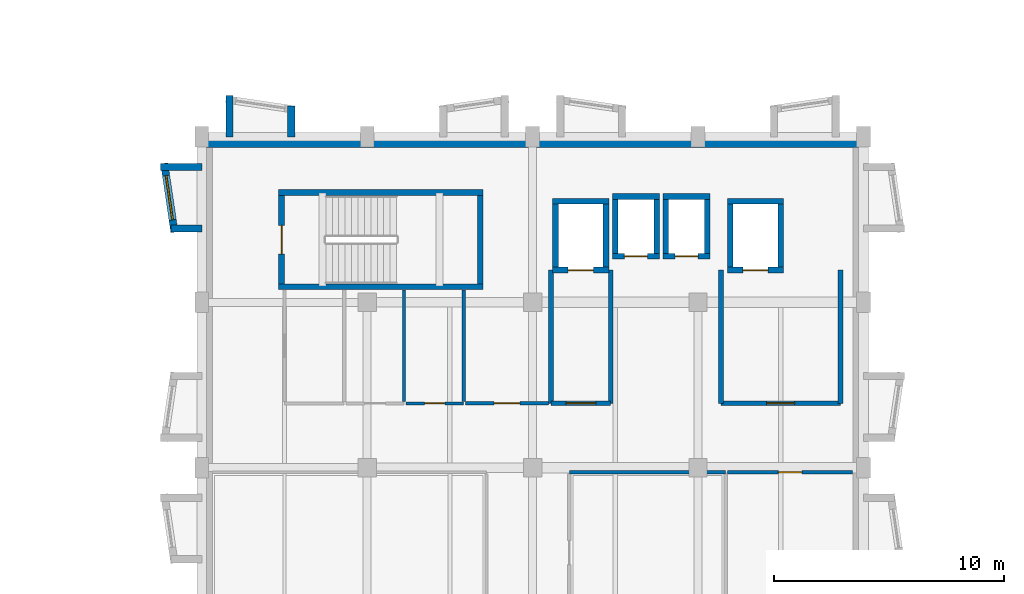
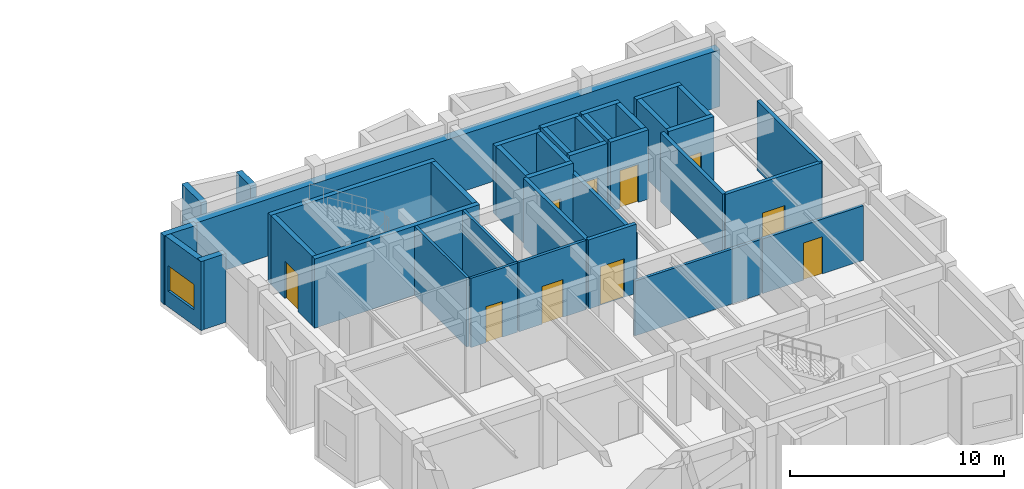
# One storey, part 56 of 67: 38 walls, 10 doors, 1 window, 11 openings.
"""IFC4 building model written with IfcOpenShell, lengths in metres."""

from ifc_helpers import new_model, si_unit, direction, frame, frame_2d, origin, place, context, subcontext, project, spatial, rectangle, extrude, material, layer, layer_set, type_object, element, fill, save


model = new_model("IFC4")

# Units and contexts
model_context = context("Model", 3, precision=1e-05, world=origin(), true_north=direction((0.0, 1.0)))
body_context = subcontext(model_context, "Body", "Model", "MODEL_VIEW")
ifc_project = project(units=[si_unit("LENGTHUNIT", "METRE"), si_unit("AREAUNIT", "SQUARE_METRE"), si_unit("VOLUMEUNIT", "CUBIC_METRE"), si_unit("PLANEANGLEUNIT", "RADIAN"), si_unit("MASSUNIT", "GRAM", prefix="KILO")], contexts=[model_context])

# Site, building, storey
site_placement = place(None, origin())
site = spatial("IfcSite", under=ifc_project, at=site_placement, CompositionType="ELEMENT")
building_placement = place(site_placement, origin())
building = spatial("IfcBuilding", under=site, at=building_placement, Name="Bramveld Media Centre", CompositionType="ELEMENT")
storey_placement = place(building_placement, frame((0.0, 0.0, 5.39990234375)))
storey = spatial("IfcBuildingStorey", under=building, at=storey_placement, Name="L01", CompositionType="ELEMENT", Elevation=5.39990234375)

# Walls
ifc_material_1 = material(Name="Concrete C40/50 stair & lift core wall", Category="concrete")
ifc_layer_1 = layer(ifc_material_1, 0.25)
ifc_layer_set_1 = layer_set([ifc_layer_1], Name="Concrete C40/50 stair & lift core wall")
wall_type_1 = type_object("IfcWallType", Name="CWALL-SHEAR-250", PredefinedType="SHEAR", material=ifc_layer_set_1)
for number, where, z_axis, x_axis, name in (
    (1, (134.550048828125, 105.47509765625, 0.0), (0.0, 0.0, 1.0), (1.0, 0.0, 0.0), "ST-01 L01 stair core shear wall S"),
    (2, (143.449951171875, 109.574951171875, 0.0), (0.0, 0.0, 1.0), (-1.0, 0.0, 0.0), "ST-01 L01 stair core shear wall N"),
):
    element("IfcWall", number, at=place(storey_placement, frame(where, z_axis=z_axis, x_axis=x_axis)), inside=storey, type_object=wall_type_1, Name=name, PredefinedType="SHEAR", context=body_context, shape_type="SweptSolid", body=[
        extrude(rectangle(XDim=8.89990234375, YDim=0.25, at=frame_2d((4.449951171875, 0.0))), origin(), (0.0, 0.0, 1.0), 3.9501953125),
    ])

# Wall, opening, door
wall_1_placement = place(storey_placement, frame((134.675048828125, 109.449951171875, 0.0), z_axis=(0.0, 0.0, 1.0), x_axis=(0.0, -1.0, 0.0)))
wall_1 = element("IfcWall", 3, at=wall_1_placement, inside=storey, type_object=wall_type_1, Name="ST-01 L01 stair core shear wall W", PredefinedType="SHEAR", context=body_context, shape_type="SweptSolid", body=[
    extrude(rectangle(XDim=3.849853515625, YDim=0.25, at=frame_2d((1.9248046875, 0.0))), origin(), (0.0, 0.0, 1.0), 3.9501953125),
])
opening_1_placement = place(wall_1_placement, frame((1.300048828125, 0.0, 0.0)))
opening_1 = element("IfcOpeningElement", 4, at=opening_1_placement, cuts=wall_1, Name="Opening SD-01-L01", PredefinedType="OPENING", context=body_context, shape_type="SweptSolid", body=[
    extrude(rectangle(XDim=1.25, YDim=2.14990234375, at=frame_2d((0.625, 1.074951171875))), frame((0.0, 0.136962890625, 0.0), z_axis=(0.0, -1.0, 0.0), x_axis=(1.0, 0.0, 0.0)), (0.0, 0.0, 1.0), 0.27392578125),
])
ifc_material_2 = material(Name="Painted galvanized steel acoustic fire door with intumescent smoke seals", Category="steel")
door_type_1 = type_object("IfcDoorType", Name="DR-ST-1250", OperationType="NOTDEFINED", PredefinedType="DOOR", material=ifc_material_2)
door_1_placement = place(opening_1_placement, origin())
door_1 = element("IfcDoor", 5, at=door_1_placement, inside=storey, type_object=door_type_1, Name="ST-01 L01 pressurized stair fire door", OperationType="SINGLE_SWING_RIGHT", OverallHeight=2.14990234375, OverallWidth=1.25, PredefinedType="DOOR", context=body_context, shape_type="SweptSolid", body=[
    extrude(rectangle(XDim=1.25, YDim=2.14990234375, at=frame_2d((0.625, 1.074951171875))), frame((0.0, 0.02490234375, 0.0), z_axis=(0.0, -1.0, 0.0), x_axis=(1.0, 0.0, 0.0)), (0.0, 0.0, 1.0), 0.050048828125),
])
fill(opening_1, door_1)

# Wall
wall_2_placement = place(storey_placement, frame((143.324951171875, 105.60009765625, 0.0), z_axis=(0.0, 0.0, 1.0), x_axis=(0.0, 1.0, 0.0)))
element("IfcWall", 6, at=wall_2_placement, inside=storey, type_object=wall_type_1, Name="ST-01 L01 stair core shear wall E", PredefinedType="SHEAR", context=body_context, shape_type="SweptSolid", body=[
    extrude(rectangle(XDim=3.849853515625, YDim=0.25, at=frame_2d((1.9248046875, 0.0))), origin(), (0.0, 0.0, 1.0), 3.9501953125),
])

# Wall, opening, door
wall_3_placement = place(storey_placement, frame((146.47509765625, 106.199951171875, 0.0), z_axis=(0.0, 0.0, 1.0), x_axis=(1.0, 0.0, 0.0)))
wall_3 = element("IfcWall", 7, at=wall_3_placement, inside=storey, type_object=wall_type_1, Name="FL-01 L01 lift shaft wall S", PredefinedType="SHEAR", context=body_context, shape_type="SweptSolid", body=[
    extrude(rectangle(XDim=2.449951171875, YDim=0.25, at=frame_2d((1.22509765625, 0.0))), origin(), (0.0, 0.0, 1.0), 3.9501953125),
])
opening_2_placement = place(wall_3_placement, frame((0.675048828125, 0.0, 0.0)))
opening_2 = element("IfcOpeningElement", 8, at=opening_2_placement, cuts=wall_3, Name="Opening LD-01-01-L01", PredefinedType="OPENING", context=body_context, shape_type="SweptSolid", body=[
    extrude(rectangle(XDim=1.10009765625, YDim=2.14990234375, at=frame_2d((0.550048828125, 1.074951171875))), frame((0.0, 0.136962890625, 0.0), z_axis=(0.0, -1.0, 0.0), x_axis=(1.0, 0.0, 0.0)), (0.0, 0.0, 1.0), 0.27392578125),
])
ifc_material_3 = material(Name="Brushed stainless steel automatic fire-rated sliding lift landing door", Category="steel")
door_type_2 = type_object("IfcDoorType", Name="LD-TYPE-01", OperationType="SLIDING_TO_LEFT", PredefinedType="DOOR", material=ifc_material_3)
door_2_placement = place(opening_2_placement, origin())
door_2 = element("IfcDoor", 9, at=door_2_placement, inside=storey, type_object=door_type_2, Name="FL-01 L01 sliding lift landing door", OperationType="SLIDING_TO_LEFT", OverallHeight=2.14990234375, OverallWidth=1.10009765625, PredefinedType="DOOR", context=body_context, shape_type="SweptSolid", body=[
    extrude(rectangle(XDim=1.10009765625, YDim=2.14990234375, at=frame_2d((0.550048828125, 1.074951171875))), frame((0.0, 0.02490234375, 0.0), z_axis=(0.0, -1.0, 0.0), x_axis=(1.0, 0.0, 0.0)), (0.0, 0.0, 1.0), 0.050048828125),
])
fill(opening_2, door_2)

# Walls
wall_4_placement = place(storey_placement, frame((148.925048828125, 109.199951171875, 0.0), z_axis=(0.0, 0.0, 1.0), x_axis=(-1.0, 0.0, 0.0)))
element("IfcWall", 10, at=wall_4_placement, inside=storey, type_object=wall_type_1, Name="FL-01 L01 lift shaft wall N", PredefinedType="SHEAR", context=body_context, shape_type="SweptSolid", body=[
    extrude(rectangle(XDim=2.449951171875, YDim=0.25, at=frame_2d((1.22509765625, 0.0))), origin(), (0.0, 0.0, 1.0), 3.9501953125),
])
for number, where, z_axis, x_axis, name in (
    (11, (146.60009765625, 109.199951171875, 0.0), (0.0, 0.0, 1.0), (0.0, -1.0, 0.0), "FL-01 L01 lift shaft wall W"),
    (12, (148.800048828125, 106.199951171875, 0.0), (0.0, 0.0, 1.0), (0.0, 1.0, 0.0), "FL-01 L01 lift shaft wall E"),
):
    element("IfcWall", number, at=place(storey_placement, frame(where, z_axis=z_axis, x_axis=x_axis)), inside=storey, type_object=wall_type_1, Name=name, PredefinedType="SHEAR", context=body_context, shape_type="SweptSolid", body=[
        extrude(rectangle(XDim=3.0, YDim=0.25, at=frame_2d((1.5, 0.0))), origin(), (0.0, 0.0, 1.0), 3.9501953125),
    ])

# Wall, opening, door
wall_5_placement = place(storey_placement, frame((154.074951171875, 106.199951171875, 0.0), z_axis=(0.0, 0.0, 1.0), x_axis=(1.0, 0.0, 0.0)))
wall_5 = element("IfcWall", 13, at=wall_5_placement, inside=storey, type_object=wall_type_1, Name="FL-02 L01 lift shaft wall S", PredefinedType="SHEAR", context=body_context, shape_type="SweptSolid", body=[
    extrude(rectangle(XDim=2.449951171875, YDim=0.25, at=frame_2d((1.22509765625, 0.0))), origin(), (0.0, 0.0, 1.0), 3.9501953125),
])
opening_3_placement = place(wall_5_placement, frame((0.675048828125, 0.0, 0.0)))
opening_3 = element("IfcOpeningElement", 14, at=opening_3_placement, cuts=wall_5, Name="Opening LD-01-02-L01", PredefinedType="OPENING", context=body_context, shape_type="SweptSolid", body=[
    extrude(rectangle(XDim=1.10009765625, YDim=2.14990234375, at=frame_2d((0.550048828125, 1.074951171875))), frame((0.0, 0.136962890625, 0.0), z_axis=(0.0, -1.0, 0.0), x_axis=(1.0, 0.0, 0.0)), (0.0, 0.0, 1.0), 0.27392578125),
])
door_3_placement = place(opening_3_placement, origin())
door_3 = element("IfcDoor", 15, at=door_3_placement, inside=storey, type_object=door_type_2, Name="FL-02 L01 sliding lift landing door", OperationType="SLIDING_TO_LEFT", OverallHeight=2.14990234375, OverallWidth=1.10009765625, PredefinedType="DOOR", context=body_context, shape_type="SweptSolid", body=[
    extrude(rectangle(XDim=1.10009765625, YDim=2.14990234375, at=frame_2d((0.550048828125, 1.074951171875))), frame((0.0, 0.02490234375, 0.0), z_axis=(0.0, -1.0, 0.0), x_axis=(1.0, 0.0, 0.0)), (0.0, 0.0, 1.0), 0.050048828125),
])
fill(opening_3, door_3)

# Walls
wall_6_placement = place(storey_placement, frame((156.52490234375, 109.199951171875, 0.0), z_axis=(0.0, 0.0, 1.0), x_axis=(-1.0, 0.0, 0.0)))
element("IfcWall", 16, at=wall_6_placement, inside=storey, type_object=wall_type_1, Name="FL-02 L01 lift shaft wall N", PredefinedType="SHEAR", context=body_context, shape_type="SweptSolid", body=[
    extrude(rectangle(XDim=2.449951171875, YDim=0.25, at=frame_2d((1.22509765625, 0.0))), origin(), (0.0, 0.0, 1.0), 3.9501953125),
])
for number, where, z_axis, x_axis, name in (
    (17, (154.199951171875, 109.199951171875, 0.0), (0.0, 0.0, 1.0), (0.0, -1.0, 0.0), "FL-02 L01 lift shaft wall W"),
    (18, (156.39990234375, 106.199951171875, 0.0), (0.0, 0.0, 1.0), (0.0, 1.0, 0.0), "FL-02 L01 lift shaft wall E"),
):
    element("IfcWall", number, at=place(storey_placement, frame(where, z_axis=z_axis, x_axis=x_axis)), inside=storey, type_object=wall_type_1, Name=name, PredefinedType="SHEAR", context=body_context, shape_type="SweptSolid", body=[
        extrude(rectangle(XDim=3.0, YDim=0.25, at=frame_2d((1.5, 0.0))), origin(), (0.0, 0.0, 1.0), 3.9501953125),
    ])

# Wall, opening, door
wall_7_placement = place(storey_placement, frame((149.074951171875, 106.800048828125, 0.0), z_axis=(0.0, 0.0, 1.0), x_axis=(1.0, 0.0, 0.0)))
wall_7 = element("IfcWall", 19, at=wall_7_placement, inside=storey, type_object=wall_type_1, Name="PL-01 L01 lift shaft wall S", PredefinedType="SHEAR", context=body_context, shape_type="SweptSolid", body=[
    extrude(rectangle(XDim=2.050048828125, YDim=0.25, at=frame_2d((1.02490234375, 0.0))), origin(), (0.0, 0.0, 1.0), 3.9501953125),
])
opening_4_placement = place(wall_7_placement, frame((0.52490234375, 0.0, 0.0)))
opening_4 = element("IfcOpeningElement", 20, at=opening_4_placement, cuts=wall_7, Name="Opening LD-02-01-L01", PredefinedType="OPENING", context=body_context, shape_type="SweptSolid", body=[
    extrude(rectangle(XDim=1.0, YDim=2.14990234375, at=frame_2d((0.5, 1.074951171875))), frame((0.0, 0.136962890625, 0.0), z_axis=(0.0, -1.0, 0.0), x_axis=(1.0, 0.0, 0.0)), (0.0, 0.0, 1.0), 0.27392578125),
])
ifc_material_4 = material(Name="Brushed stainless steel automatic fire-rated sliding lift landing door", Category="steel")
door_type_3 = type_object("IfcDoorType", Name="LD-TYPE-02", OperationType="SLIDING_TO_LEFT", PredefinedType="DOOR", material=ifc_material_4)
door_4_placement = place(opening_4_placement, origin())
door_4 = element("IfcDoor", 21, at=door_4_placement, inside=storey, type_object=door_type_3, Name="PL-01 L01 sliding lift landing door", OperationType="SLIDING_TO_LEFT", OverallHeight=2.14990234375, OverallWidth=1.0, PredefinedType="DOOR", context=body_context, shape_type="SweptSolid", body=[
    extrude(rectangle(XDim=1.0, YDim=2.14990234375, at=frame_2d((0.5, 1.074951171875))), frame((0.0, 0.02490234375, 0.0), z_axis=(0.0, -1.0, 0.0), x_axis=(1.0, 0.0, 0.0)), (0.0, 0.0, 1.0), 0.050048828125),
])
fill(opening_4, door_4)

# Walls
wall_8_placement = place(storey_placement, frame((151.125, 109.39990234375, 0.0), z_axis=(0.0, 0.0, 1.0), x_axis=(-1.0, 0.0, 0.0)))
element("IfcWall", 22, at=wall_8_placement, inside=storey, type_object=wall_type_1, Name="PL-01 L01 lift shaft wall N", PredefinedType="SHEAR", context=body_context, shape_type="SweptSolid", body=[
    extrude(rectangle(XDim=2.050048828125, YDim=0.25, at=frame_2d((1.02490234375, 0.0))), origin(), (0.0, 0.0, 1.0), 3.9501953125),
])
for number, where, z_axis, x_axis, name in (
    (23, (149.199951171875, 109.39990234375, 0.0), (0.0, 0.0, 1.0), (0.0, -1.0, 0.0), "PL-01 L01 lift shaft wall W"),
    (24, (151.0, 106.800048828125, 0.0), (0.0, 0.0, 1.0), (0.0, 1.0, 0.0), "PL-01 L01 lift shaft wall E"),
):
    element("IfcWall", number, at=place(storey_placement, frame(where, z_axis=z_axis, x_axis=x_axis)), inside=storey, type_object=wall_type_1, Name=name, PredefinedType="SHEAR", context=body_context, shape_type="SweptSolid", body=[
        extrude(rectangle(XDim=2.599853515625, YDim=0.25, at=frame_2d((1.2998046875, 0.0))), origin(), (0.0, 0.0, 1.0), 3.9501953125),
    ])

# Wall, opening, door
wall_9_placement = place(storey_placement, frame((151.27490234375, 106.800048828125, 0.0), z_axis=(0.0, 0.0, 1.0), x_axis=(1.0, 0.0, 0.0)))
wall_9 = element("IfcWall", 25, at=wall_9_placement, inside=storey, type_object=wall_type_1, Name="PL-02 L01 lift shaft wall S", PredefinedType="SHEAR", context=body_context, shape_type="SweptSolid", body=[
    extrude(rectangle(XDim=2.050048828125, YDim=0.25, at=frame_2d((1.02490234375, 0.0))), origin(), (0.0, 0.0, 1.0), 3.9501953125),
])
opening_5_placement = place(wall_9_placement, frame((0.52490234375, 0.0, 0.0)))
opening_5 = element("IfcOpeningElement", 26, at=opening_5_placement, cuts=wall_9, Name="Opening LD-02-02-L01", PredefinedType="OPENING", context=body_context, shape_type="SweptSolid", body=[
    extrude(rectangle(XDim=1.0, YDim=2.14990234375, at=frame_2d((0.5, 1.074951171875))), frame((0.0, 0.136962890625, 0.0), z_axis=(0.0, -1.0, 0.0), x_axis=(1.0, 0.0, 0.0)), (0.0, 0.0, 1.0), 0.27392578125),
])
door_5_placement = place(opening_5_placement, origin())
door_5 = element("IfcDoor", 27, at=door_5_placement, inside=storey, type_object=door_type_3, Name="PL-02 L01 sliding lift landing door", OperationType="SLIDING_TO_LEFT", OverallHeight=2.14990234375, OverallWidth=1.0, PredefinedType="DOOR", context=body_context, shape_type="SweptSolid", body=[
    extrude(rectangle(XDim=1.0, YDim=2.14990234375, at=frame_2d((0.5, 1.074951171875))), frame((0.0, 0.02490234375, 0.0), z_axis=(0.0, -1.0, 0.0), x_axis=(1.0, 0.0, 0.0)), (0.0, 0.0, 1.0), 0.050048828125),
])
fill(opening_5, door_5)

# Walls
wall_10_placement = place(storey_placement, frame((153.324951171875, 109.39990234375, 0.0), z_axis=(0.0, 0.0, 1.0), x_axis=(-1.0, 0.0, 0.0)))
element("IfcWall", 28, at=wall_10_placement, inside=storey, type_object=wall_type_1, Name="PL-02 L01 lift shaft wall N", PredefinedType="SHEAR", context=body_context, shape_type="SweptSolid", body=[
    extrude(rectangle(XDim=2.050048828125, YDim=0.25, at=frame_2d((1.02490234375, 0.0))), origin(), (0.0, 0.0, 1.0), 3.9501953125),
])
for number, where, z_axis, x_axis, name in (
    (29, (151.39990234375, 109.39990234375, 0.0), (0.0, 0.0, 1.0), (0.0, -1.0, 0.0), "PL-02 L01 lift shaft wall W"),
    (30, (153.199951171875, 106.800048828125, 0.0), (0.0, 0.0, 1.0), (0.0, 1.0, 0.0), "PL-02 L01 lift shaft wall E"),
):
    element("IfcWall", number, at=place(storey_placement, frame(where, z_axis=z_axis, x_axis=x_axis)), inside=storey, type_object=wall_type_1, Name=name, PredefinedType="SHEAR", context=body_context, shape_type="SweptSolid", body=[
        extrude(rectangle(XDim=2.599853515625, YDim=0.25, at=frame_2d((1.2998046875, 0.0))), origin(), (0.0, 0.0, 1.0), 3.9501953125),
    ])
ifc_material_5 = material(Name="Flemish red-brown clay facing brick cavity wall with concrete C35/45 inner leaf", Category="masonry")
ifc_layer_2 = layer(ifc_material_5, 0.4599609375)
ifc_layer_set_2 = layer_set([ifc_layer_2], Name="Flemish red-brown clay facing brick cavity wall with concrete C35/45 inner leaf")
wall_type_2 = type_object("IfcWallType", Name="EW-BRK-460", PredefinedType="SOLIDWALL", material=ifc_layer_set_2)
wall_11_placement = place(storey_placement, frame((131.199951171875, 111.77001953125, 0.0), z_axis=(0.0, 0.0, 1.0), x_axis=(1.0, 0.0, 0.0)))
element("IfcWall", 31, at=wall_11_placement, inside=storey, type_object=wall_type_2, Name="V7 L01 N facing brick exterior wall", PredefinedType="SOLIDWALL", context=body_context, shape_type="SweptSolid", body=[
    extrude(rectangle(XDim=28.800048828125, YDim=0.4599609375, at=frame_2d((14.39990234375, 0.0))), origin(), (0.0, 0.0, 1.0), 3.2451171875),
])
ifc_material_6 = material(Name="Precast concrete C40/50 & brick-slip faceted bay cheek wall", Category="masonry")
ifc_layer_3 = layer(ifc_material_6, 0.320068359375)
ifc_layer_set_3 = layer_set([ifc_layer_3], Name="Precast concrete C40/50 & brick-slip faceted bay cheek wall")
wall_type_3 = type_object("IfcWallType", Name="EW-FACET-320", PredefinedType="SOLIDWALL", material=ifc_layer_set_3)
wall_12_placement = place(storey_placement, frame((132.409912109375, 112.0, 0.0), z_axis=(0.0, 0.0, 1.0), x_axis=(0.0, 1.0, 0.0)))
element("IfcWall", 32, at=wall_12_placement, inside=storey, type_object=wall_type_3, Name="V7 L01 N faceted bay cheek wall", PredefinedType="SOLIDWALL", context=body_context, shape_type="SweptSolid", body=[
    extrude(rectangle(XDim=1.79296875, YDim=0.320068359375, at=frame_2d((0.896484375, 0.0))), origin(), (0.0, 0.0, 1.0), 3.93017578125),
])
wall_13_placement = place(storey_placement, frame((135.090087890625, 112.0, 0.0), z_axis=(0.0, 0.0, 1.0), x_axis=(0.0, 1.0, 0.0)))
element("IfcWall", 33, at=wall_13_placement, inside=storey, type_object=wall_type_3, Name="V7 L01 N faceted bay cheek wall", PredefinedType="SOLIDWALL", context=body_context, shape_type="SweptSolid", body=[
    extrude(rectangle(XDim=1.35009765625, YDim=0.320068359375, at=frame_2d((0.675048828125, 0.0))), origin(), (0.0, 0.0, 1.0), 3.93017578125),
])

# Wall, opening, window
wall_14_placement = place(storey_placement, frame((129.56689453125, 110.85009765625, 0.0), z_axis=(0.0, 0.0, 1.0), x_axis=(0.146119746268, -0.989266910268, 0.0)))
wall_14 = element("IfcWall", 34, at=wall_14_placement, inside=storey, type_object=wall_type_3, Name="V7 L01 W angled faceted bay front wall 4", PredefinedType="SOLIDWALL", context=body_context, shape_type="SweptSolid", body=[
    extrude(rectangle(XDim=3.032470703125, YDim=0.320068359375, at=frame_2d((1.51611328125, 0.0))), origin(), (0.0, 0.0, 1.0), 3.93017578125),
])
opening_6_placement = place(wall_14_placement, frame((0.541259765625, 0.0, 0.89990234375)))
opening_6 = element("IfcOpeningElement", 35, at=opening_6_placement, cuts=wall_14, Name="Opening W-27", PredefinedType="OPENING", context=body_context, shape_type="SweptSolid", body=[
    extrude(rectangle(XDim=1.949951171875, YDim=1.449951171875, at=frame_2d((0.97509765625, 0.72509765625))), frame((0.0, 0.171875, 0.0), z_axis=(0.0, -1.0, 0.0), x_axis=(1.0, 0.0, 0.0)), (0.0, 0.0, 1.0), 0.343994140625),
])
ifc_material_7 = material(Name="Thermally broken anodized bronze aluminium frame with triple acoustic glazing", Category="aluminium")
window_type = type_object("IfcWindowType", Name="WIN-FAC-27", PartitioningType="SINGLE_PANEL", PredefinedType="WINDOW", material=ifc_material_7)
window_placement = place(opening_6_placement, origin())
window = element("IfcWindow", 36, at=window_placement, inside=storey, type_object=window_type, Name="V7 L01 W faceted bay window 4", OverallHeight=1.449951171875, OverallWidth=1.949951171875, PartitioningType="SINGLE_PANEL", PredefinedType="WINDOW", context=body_context, shape_type="SweptSolid", body=[
    extrude(rectangle(XDim=1.949951171875, YDim=1.449951171875, at=frame_2d((0.97509765625, 0.72509765625))), frame((0.0, 0.030029296875, 0.0), z_axis=(0.0, -1.0, 0.0), x_axis=(1.0, 0.0, 0.0)), (0.0, 0.0, 1.0), 0.06005859375),
])
fill(opening_6, window)

# Walls
wall_15_placement = place(storey_placement, frame((131.199951171875, 108.010009765625, 0.0), z_axis=(0.0, 0.0, 1.0), x_axis=(-1.0, 0.0, 0.0)))
element("IfcWall", 37, at=wall_15_placement, inside=storey, type_object=wall_type_3, Name="V7 L01 W faceted bay cheek wall", PredefinedType="SOLIDWALL", context=body_context, shape_type="SweptSolid", body=[
    extrude(rectangle(XDim=1.349853515625, YDim=0.320068359375, at=frame_2d((0.6748046875, 0.0))), origin(), (0.0, 0.0, 1.0), 3.93017578125),
])
wall_16_placement = place(storey_placement, frame((131.199951171875, 110.68994140625, 0.0), z_axis=(0.0, 0.0, 1.0), x_axis=(-1.0, 0.0, 0.0)))
element("IfcWall", 38, at=wall_16_placement, inside=storey, type_object=wall_type_3, Name="V7 L01 W faceted bay cheek wall", PredefinedType="SOLIDWALL", context=body_context, shape_type="SweptSolid", body=[
    extrude(rectangle(XDim=1.79296875, YDim=0.320068359375, at=frame_2d((0.896484375, 0.0))), origin(), (0.0, 0.0, 1.0), 3.93017578125),
])

# Wall, opening, door
ifc_material_8 = material(Name="Acoustic calcium-silicate & mineral-wool compartment partition", Category="masonry")
ifc_layer_4 = layer(ifc_material_8, 0.199951171875)
ifc_layer_set_4 = layer_set([ifc_layer_4], Name="Acoustic calcium-silicate & mineral-wool compartment partition")
wall_type_4 = type_object("IfcWallType", Name="IW-ACOU-200", PredefinedType="PARTITIONING", material=ifc_layer_set_4)
wall_17_placement = place(storey_placement, frame((146.39990234375, 100.39990234375, 0.0), z_axis=(0.0, 0.0, 1.0), x_axis=(1.0, 0.0, 0.0)))
wall_17 = element("IfcWall", 39, at=wall_17_placement, inside=storey, type_object=wall_type_4, Name="FL-01 L01 EI 120 firefighting lift lobby wall S", PredefinedType="PARTITIONING", context=body_context, shape_type="SweptSolid", body=[
    extrude(rectangle(XDim=2.60009765625, YDim=0.199951171875, at=frame_2d((1.300048828125, 0.0))), origin(), (0.0, 0.0, 1.0), 3.9501953125),
])
opening_7_placement = place(wall_17_placement, frame((0.64990234375, 0.0, 0.0)))
opening_7 = element("IfcOpeningElement", 40, at=opening_7_placement, cuts=wall_17, Name="Opening FD-01-L01", PredefinedType="OPENING", context=body_context, shape_type="SweptSolid", body=[
    extrude(rectangle(XDim=1.300048828125, YDim=2.199951171875, at=frame_2d((0.64990234375, 1.10009765625))), frame((0.0, 0.11181640625, 0.0), z_axis=(0.0, -1.0, 0.0), x_axis=(1.0, 0.0, 0.0)), (0.0, 0.0, 1.0), 0.223876953125),
])
ifc_material_9 = material(Name="Painted galvanized steel acoustic fire door with intumescent smoke seals", Category="steel")
door_type_4 = type_object("IfcDoorType", Name="DR-FFL-1300", OperationType="NOTDEFINED", PredefinedType="DOOR", material=ifc_material_9)
door_6_placement = place(opening_7_placement, origin())
door_6 = element("IfcDoor", 41, at=door_6_placement, inside=storey, type_object=door_type_4, Name="FL-01 L01 firefighting lobby smoke-control door", OperationType="SINGLE_SWING_RIGHT", OverallHeight=2.199951171875, OverallWidth=1.300048828125, PredefinedType="DOOR", context=body_context, shape_type="SweptSolid", body=[
    extrude(rectangle(XDim=1.300048828125, YDim=2.199951171875, at=frame_2d((0.64990234375, 1.10009765625))), frame((0.0, 0.02490234375, 0.0), z_axis=(0.0, -1.0, 0.0), x_axis=(1.0, 0.0, 0.0)), (0.0, 0.0, 1.0), 0.050048828125),
])
fill(opening_7, door_6)

# Walls
wall_18_placement = place(storey_placement, frame((146.39990234375, 106.199951171875, 0.0), z_axis=(0.0, 0.0, 1.0), x_axis=(0.0, -1.0, 0.0)))
element("IfcWall", 42, at=wall_18_placement, inside=storey, type_object=wall_type_4, Name="FL-01 L01 EI 120 firefighting lift lobby wall W", PredefinedType="PARTITIONING", context=body_context, shape_type="SweptSolid", body=[
    extrude(rectangle(XDim=5.800048828125, YDim=0.199951171875, at=frame_2d((2.89990234375, 0.0))), origin(), (0.0, 0.0, 1.0), 3.9501953125),
])
wall_19_placement = place(storey_placement, frame((149.0, 100.39990234375, 0.0), z_axis=(0.0, 0.0, 1.0), x_axis=(0.0, 1.0, 0.0)))
element("IfcWall", 43, at=wall_19_placement, inside=storey, type_object=wall_type_4, Name="FL-01 L01 EI 120 firefighting lift lobby wall E", PredefinedType="PARTITIONING", context=body_context, shape_type="SweptSolid", body=[
    extrude(rectangle(XDim=5.800048828125, YDim=0.199951171875, at=frame_2d((2.89990234375, 0.0))), origin(), (0.0, 0.0, 1.0), 3.375),
])

# Wall, opening, door
wall_20_placement = place(storey_placement, frame((153.800048828125, 100.39990234375, 0.0), z_axis=(0.0, 0.0, 1.0), x_axis=(1.0, 0.0, 0.0)))
wall_20 = element("IfcWall", 44, at=wall_20_placement, inside=storey, type_object=wall_type_4, Name="FL-02 L01 EI 120 firefighting lift lobby wall S", PredefinedType="PARTITIONING", context=body_context, shape_type="SweptSolid", body=[
    extrude(rectangle(XDim=5.199951171875, YDim=0.199951171875, at=frame_2d((2.60009765625, 0.0))), origin(), (0.0, 0.0, 1.0), 3.9501953125),
])
opening_8_placement = place(wall_20_placement, frame((1.989990234375, 0.0, 0.0)))
opening_8 = element("IfcOpeningElement", 45, at=opening_8_placement, cuts=wall_20, Name="Opening FD-02-L01", PredefinedType="OPENING", context=body_context, shape_type="SweptSolid", body=[
    extrude(rectangle(XDim=1.219970703125, YDim=2.199951171875, at=frame_2d((0.60986328125, 1.10009765625))), frame((0.0, 0.11181640625, 0.0), z_axis=(0.0, -1.0, 0.0), x_axis=(1.0, 0.0, 0.0)), (0.0, 0.0, 1.0), 0.223876953125),
])
ifc_material_10 = material(Name="Painted galvanized steel acoustic fire door with intumescent smoke seals", Category="steel")
door_type_5 = type_object("IfcDoorType", Name="DR-FFL-1220", OperationType="NOTDEFINED", PredefinedType="DOOR", material=ifc_material_10)
door_7_placement = place(opening_8_placement, origin())
door_7 = element("IfcDoor", 46, at=door_7_placement, inside=storey, type_object=door_type_5, Name="FL-02 L01 firefighting lobby smoke-control door", OperationType="SINGLE_SWING_RIGHT", OverallHeight=2.199951171875, OverallWidth=1.219970703125, PredefinedType="DOOR", context=body_context, shape_type="SweptSolid", body=[
    extrude(rectangle(XDim=1.219970703125, YDim=2.199951171875, at=frame_2d((0.60986328125, 1.10009765625))), frame((0.0, 0.02490234375, 0.0), z_axis=(0.0, -1.0, 0.0), x_axis=(1.0, 0.0, 0.0)), (0.0, 0.0, 1.0), 0.050048828125),
])
fill(opening_8, door_7)

# Walls
for number, where, z_axis, x_axis, name in (
    (47, (153.800048828125, 106.199951171875, 0.0), (0.0, 0.0, 1.0), (0.0, -1.0, 0.0), "FL-02 L01 EI 120 firefighting lift lobby wall W"),
    (48, (159.0, 100.39990234375, 0.0), (0.0, 0.0, 1.0), (0.0, 1.0, 0.0), "FL-02 L01 EI 120 firefighting lift lobby wall E"),
):
    element("IfcWall", number, at=place(storey_placement, frame(where, z_axis=z_axis, x_axis=x_axis)), inside=storey, type_object=wall_type_4, Name=name, PredefinedType="PARTITIONING", context=body_context, shape_type="SweptSolid", body=[
        extrude(rectangle(XDim=5.800048828125, YDim=0.199951171875, at=frame_2d((2.89990234375, 0.0))), origin(), (0.0, 0.0, 1.0), 3.9501953125),
    ])

# Wall, opening, door
ifc_material_11 = material(Name="Insulated metal-stud gypsum room partition", Category="gypsum")
ifc_layer_5 = layer(ifc_material_11, 0.14990234375)
ifc_layer_set_5 = layer_set([ifc_layer_5], Name="Insulated metal-stud gypsum room partition")
wall_type_5 = type_object("IfcWallType", Name="IW-PART-150", PredefinedType="PARTITIONING", material=ifc_layer_set_5)
wall_21_placement = place(storey_placement, frame((142.679931640625, 100.39990234375, 0.0), z_axis=(0.0, 0.0, 1.0), x_axis=(1.0, 0.0, 0.0)))
wall_21 = element("IfcWall", 49, at=wall_21_placement, inside=storey, type_object=wall_type_5, Name="Media Editing Booth L01 partition wall", PredefinedType="PARTITIONING", context=body_context, shape_type="SweptSolid", body=[
    extrude(rectangle(XDim=3.610107421875, YDim=0.14990234375, at=frame_2d((1.80517578125, 0.0))), origin(), (0.0, 0.0, 1.0), 3.9501953125),
])
opening_9_placement = place(wall_21_placement, frame((1.2451171875, 0.0, 0.0)))
opening_9 = element("IfcOpeningElement", 50, at=opening_9_placement, cuts=wall_21, Name="Opening D-01-091", PredefinedType="OPENING", context=body_context, shape_type="SweptSolid", body=[
    extrude(rectangle(XDim=1.1201171875, YDim=2.14990234375, at=frame_2d((0.56005859375, 1.074951171875))), frame((0.0, 0.0869140625, 0.0), z_axis=(0.0, -1.0, 0.0), x_axis=(1.0, 0.0, 0.0)), (0.0, 0.0, 1.0), 0.173828125),
])
ifc_material_12 = material(Name="Solid-core European oak acoustic timber leaf in steel frame", Category="steel")
door_type_6 = type_object("IfcDoorType", Name="DR-RM-1120", OperationType="NOTDEFINED", PredefinedType="DOOR", material=ifc_material_12)
door_8_placement = place(opening_9_placement, origin())
door_8 = element("IfcDoor", 51, at=door_8_placement, inside=storey, type_object=door_type_6, Name="Media Editing Booth L01 entrance door", OperationType="SINGLE_SWING_RIGHT", OverallHeight=2.14990234375, OverallWidth=1.1201171875, PredefinedType="DOOR", context=body_context, shape_type="SweptSolid", body=[
    extrude(rectangle(XDim=1.1201171875, YDim=2.14990234375, at=frame_2d((0.56005859375, 1.074951171875))), frame((0.0, 0.02490234375, 0.0), z_axis=(0.0, -1.0, 0.0), x_axis=(1.0, 0.0, 0.0)), (0.0, 0.0, 1.0), 0.050048828125),
])
fill(opening_9, door_8)

# Wall
wall_22_placement = place(storey_placement, frame((147.199951171875, 97.39990234375, 0.0), z_axis=(0.0, 0.0, 1.0), x_axis=(1.0, 0.0, 0.0)))
element("IfcWall", 52, at=wall_22_placement, inside=storey, type_object=wall_type_5, Name="Radio Broadcast Studio A partition wall", PredefinedType="PARTITIONING", context=body_context, shape_type="SweptSolid", body=[
    extrude(rectangle(XDim=6.800048828125, YDim=0.14990234375, at=frame_2d((3.39990234375, 0.0))), origin(), (0.0, 0.0, 1.0), 3.125),
])

# Wall, opening, door
wall_23_placement = place(storey_placement, frame((154.0849609375, 97.39990234375, 0.0), z_axis=(0.0, 0.0, 1.0), x_axis=(1.0, 0.0, 0.0)))
wall_23 = element("IfcWall", 53, at=wall_23_placement, inside=storey, type_object=wall_type_5, Name="Radio Control & Talkback Booth partition wall", PredefinedType="PARTITIONING", context=body_context, shape_type="SweptSolid", body=[
    extrude(rectangle(XDim=5.445068359375, YDim=0.14990234375, at=frame_2d((2.72265625, 0.0))), origin(), (0.0, 0.0, 1.0), 3.125),
])
opening_10_placement = place(wall_23_placement, frame((2.21240234375, 0.0, 0.0)))
opening_10 = element("IfcOpeningElement", 54, at=opening_10_placement, cuts=wall_23, Name="Opening D-01-094", PredefinedType="OPENING", context=body_context, shape_type="SweptSolid", body=[
    extrude(rectangle(XDim=1.02001953125, YDim=2.1201171875, at=frame_2d((0.510009765625, 1.06005859375))), frame((0.0, 0.0869140625, 0.0), z_axis=(0.0, -1.0, 0.0), x_axis=(1.0, 0.0, 0.0)), (0.0, 0.0, 1.0), 0.173828125),
])
ifc_material_13 = material(Name="Solid-core European oak acoustic timber leaf in steel frame", Category="steel")
door_type_7 = type_object("IfcDoorType", Name="DR-RM-1020", OperationType="NOTDEFINED", PredefinedType="DOOR", material=ifc_material_13)
door_9_placement = place(opening_10_placement, origin())
door_9 = element("IfcDoor", 55, at=door_9_placement, inside=storey, type_object=door_type_7, Name="Radio Control & Talkback Booth entrance door", OperationType="SINGLE_SWING_LEFT", OverallHeight=2.1201171875, OverallWidth=1.02001953125, PredefinedType="DOOR", context=body_context, shape_type="SweptSolid", body=[
    extrude(rectangle(XDim=1.02001953125, YDim=2.1201171875, at=frame_2d((0.510009765625, 1.06005859375))), frame((0.0, 0.02490234375, 0.0), z_axis=(0.0, -1.0, 0.0), x_axis=(1.0, 0.0, 0.0)), (0.0, 0.0, 1.0), 0.050048828125),
])
fill(opening_10, door_9)

# Wall
ifc_material_14 = material(Name="Moisture-resistant cement-board sanitary partition", Category="gypsum")
ifc_layer_6 = layer(ifc_material_14, 0.139892578125)
ifc_layer_set_6 = layer_set([ifc_layer_6], Name="Moisture-resistant cement-board sanitary partition")
wall_type_6 = type_object("IfcWallType", Name="IW-WET-140", PredefinedType="PARTITIONING", material=ifc_layer_set_6)
wall_24_placement = place(storey_placement, frame((140.0, 100.47998046875, 0.0), z_axis=(0.0, 0.0, 1.0), x_axis=(0.0, 1.0, 0.0)))
element("IfcWall", 56, at=wall_24_placement, inside=storey, type_object=wall_type_6, Name="Male WC partition wall", PredefinedType="PARTITIONING", context=body_context, shape_type="SweptSolid", body=[
    extrude(rectangle(XDim=4.860107421875, YDim=0.139892578125, at=frame_2d((2.43017578125, 0.0))), origin(), (0.0, 0.0, 1.0), 3.9501953125),
])

# Wall, opening, door
wall_25_placement = place(storey_placement, frame((140.080078125, 100.39990234375, 0.0), z_axis=(0.0, 0.0, 1.0), x_axis=(1.0, 0.0, 0.0)))
wall_25 = element("IfcWall", 57, at=wall_25_placement, inside=storey, type_object=wall_type_6, Name="Female WC partition wall", PredefinedType="PARTITIONING", context=body_context, shape_type="SweptSolid", body=[
    extrude(rectangle(XDim=2.52001953125, YDim=0.139892578125, at=frame_2d((1.260009765625, 0.0))), origin(), (0.0, 0.0, 1.0), 3.9501953125),
])
opening_11_placement = place(wall_25_placement, frame((0.81494140625, 0.0, 0.0)))
opening_11 = element("IfcOpeningElement", 58, at=opening_11_placement, cuts=wall_25, Name="Opening D-01-090", PredefinedType="OPENING", context=body_context, shape_type="SweptSolid", body=[
    extrude(rectangle(XDim=0.889892578125, YDim=2.050048828125, at=frame_2d((0.44482421875, 1.02490234375))), frame((0.0, 0.08203125, 0.0), z_axis=(0.0, -1.0, 0.0), x_axis=(1.0, 0.0, 0.0)), (0.0, 0.0, 1.0), 0.163818359375),
])
ifc_material_15 = material(Name="Solid-core European oak acoustic timber leaf in steel frame", Category="steel")
door_type_8 = type_object("IfcDoorType", Name="DR-WC-0890", OperationType="NOTDEFINED", PredefinedType="DOOR", material=ifc_material_15)
door_10_placement = place(opening_11_placement, origin())
door_10 = element("IfcDoor", 59, at=door_10_placement, inside=storey, type_object=door_type_8, Name="Female WC entrance door", OperationType="SINGLE_SWING_LEFT", OverallHeight=2.050048828125, OverallWidth=0.889892578125, PredefinedType="DOOR", context=body_context, shape_type="SweptSolid", body=[
    extrude(rectangle(XDim=0.889892578125, YDim=2.050048828125, at=frame_2d((0.44482421875, 1.02490234375))), frame((0.0, 0.02490234375, 0.0), z_axis=(0.0, -1.0, 0.0), x_axis=(1.0, 0.0, 0.0)), (0.0, 0.0, 1.0), 0.050048828125),
])
fill(opening_11, door_10)

# Wall
wall_26_placement = place(storey_placement, frame((142.60009765625, 100.47998046875, 0.0), z_axis=(0.0, 0.0, 1.0), x_axis=(0.0, 1.0, 0.0)))
element("IfcWall", 60, at=wall_26_placement, inside=storey, type_object=wall_type_6, Name="Female WC partition wall", PredefinedType="PARTITIONING", context=body_context, shape_type="SweptSolid", body=[
    extrude(rectangle(XDim=4.860107421875, YDim=0.139892578125, at=frame_2d((2.43017578125, 0.0))), origin(), (0.0, 0.0, 1.0), 3.9501953125),
])

save(model, "model.ifc")
